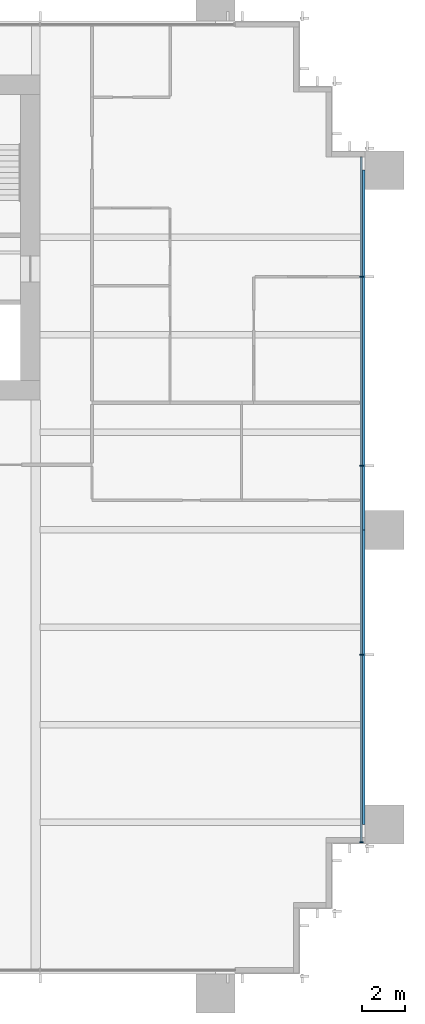
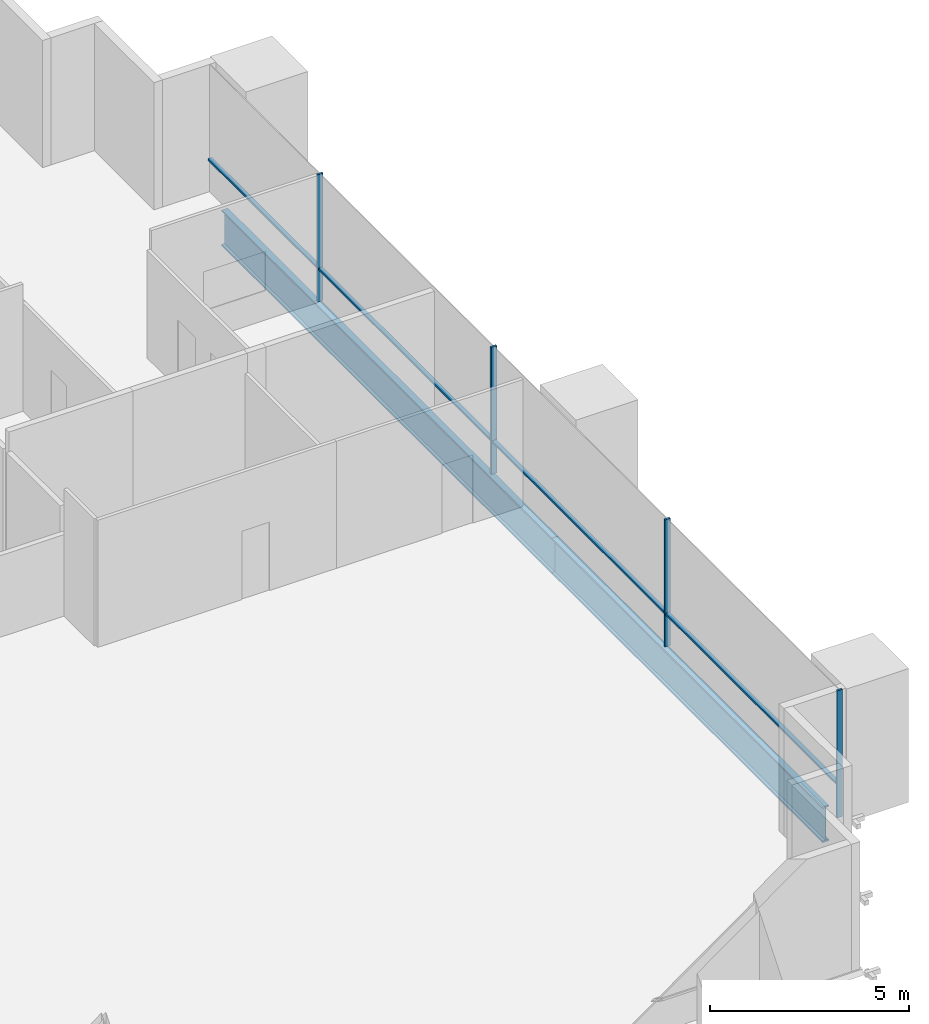
# One storey, part 9 of 17: 8 members, 2 beams, 1 element without a shape of its own.
"""IFC4 building model written with IfcOpenShell, lengths in metres."""

from ifc_helpers import new_model, si_unit, direction, frame, origin, origin_2d, place, context, subcontext, project, spatial, rectangle, i_section, extrude, material, material_profile, profile_set, type_object, element, aggregate, save


model = new_model("IFC4")

# Units and contexts
model_context = context("Model", 3, precision=1e-05, world=origin(), true_north=direction((0.0, 1.0)))
body_context = subcontext(model_context, "Body", "Model", "MODEL_VIEW")
ifc_project = project(units=[si_unit("LENGTHUNIT", "METRE"), si_unit("AREAUNIT", "SQUARE_METRE"), si_unit("VOLUMEUNIT", "CUBIC_METRE"), si_unit("PLANEANGLEUNIT", "RADIAN"), si_unit("MASSUNIT", "GRAM", prefix="KILO")], contexts=[model_context])

# Site, building, storey
site_placement = place(None, origin())
site = spatial("IfcSite", under=ifc_project, at=site_placement, CompositionType="ELEMENT")
building_placement = place(site_placement, origin())
building = spatial("IfcBuilding", under=site, at=building_placement, Name="Rattan Terrace Tower", CompositionType="ELEMENT")
storey_placement = place(building_placement, frame((0.0, 0.0, 48.800048828125)))
storey = spatial("IfcBuildingStorey", under=building, at=storey_placement, Name="L10", CompositionType="ELEMENT", Elevation=48.800048828125)

# Curtain wall, members
ifc_material_1 = material(Name="Aluminium and glass", Category="aluminium")
curtain_wall_type = type_object("IfcCurtainWallType", Name="Facade Unitised Curtain Wall", PredefinedType="NOTDEFINED", material=ifc_material_1)
curtain_wall_placement = place(storey_placement, origin())
curtain_wall = element("IfcCurtainWall", 1, at=curtain_wall_placement, inside=storey, type_object=curtain_wall_type, Name="Curtain wall L10-1", PredefinedType="NOTDEFINED")
ifc_material_2 = material(Name="Aluminium", Category="aluminium")
ifc_material_profile_1 = material_profile(ifc_material_2, rectangle(XDim=0.06005859375, YDim=0.159912109375, at=origin_2d()), Name="Aluminium 60x160")
ifc_profile_set_1 = profile_set([ifc_material_profile_1], Name="Aluminium")
member_type_1 = type_object("IfcMemberType", Name="Facade CW Mullion 60x160", PredefinedType="MULLION", material=ifc_profile_set_1)
member_1_placement = place(storey_placement, frame((32.830078125, -27.925048828125, 0.0), z_axis=(0.0, 0.0, 1.0), x_axis=(0.0, 1.0, 0.0)))
member_1 = element("IfcMember", 2, at=member_1_placement, type_object=member_type_1, Name="Mullion cwl-L10-001.1", PredefinedType="MULLION", context=body_context, shape_type="SweptSolid", body=[
    extrude(rectangle(XDim=0.06005859375, YDim=0.159912109375, at=origin_2d()), origin(), (0.0, 0.0, 1.0), 3.89990234375),
])
member_2_placement = place(storey_placement, frame((32.830078125, -19.27294921875, 0.0), z_axis=(0.0, 0.0, 1.0), x_axis=(0.0, 1.0, 0.0)))
member_2 = element("IfcMember", 3, at=member_2_placement, type_object=member_type_1, Name="Mullion cwl-L10-001.2", PredefinedType="MULLION", context=body_context, shape_type="SweptSolid", body=[
    extrude(rectangle(XDim=0.06005859375, YDim=0.159912109375, at=origin_2d()), origin(), (0.0, 0.0, 1.0), 3.89990234375),
])
member_3_placement = place(storey_placement, frame((32.830078125, -10.5458984375, 0.0), z_axis=(0.0, 0.0, 1.0), x_axis=(0.0, 1.0, 0.0)))
member_3 = element("IfcMember", 4, at=member_3_placement, type_object=member_type_1, Name="Mullion cwl-L10-001.3", PredefinedType="MULLION", context=body_context, shape_type="SweptSolid", body=[
    extrude(rectangle(XDim=0.06005859375, YDim=0.159912109375, at=origin_2d()), origin(), (0.0, 0.0, 1.0), 3.89990234375),
])
member_4_placement = place(storey_placement, frame((32.830078125, -1.819091796875, 0.0), z_axis=(0.0, 0.0, 1.0), x_axis=(0.0, 1.0, 0.0)))
member_4 = element("IfcMember", 5, at=member_4_placement, type_object=member_type_1, Name="Mullion cwl-L10-001.4", PredefinedType="MULLION", context=body_context, shape_type="SweptSolid", body=[
    extrude(rectangle(XDim=0.06005859375, YDim=0.159912109375, at=origin_2d()), origin(), (0.0, 0.0, 1.0), 3.89990234375),
])
ifc_material_3 = material(Name="Aluminium", Category="aluminium")
ifc_material_profile_2 = material_profile(ifc_material_3, rectangle(XDim=0.1201171875, YDim=0.06005859375, at=origin_2d()), Name="Aluminium 120x60")
ifc_profile_set_2 = profile_set([ifc_material_profile_2], Name="Aluminium")
member_type_2 = type_object("IfcMemberType", Name="Facade CW Transom 120x60", PredefinedType="USERDEFINED", material=ifc_profile_set_2)
member_5_placement = place(storey_placement, frame((32.830078125, -27.89501953125, 1.0), z_axis=(0.0, 1.0, 0.0), x_axis=(-1.0, 0.0, 0.0)))
member_5 = element("IfcMember", 6, at=member_5_placement, type_object=member_type_2, Name="Transom cwl-L10-001.1", ObjectType="TRANSOM", PredefinedType="USERDEFINED", context=body_context, shape_type="SweptSolid", body=[
    extrude(rectangle(XDim=0.1201171875, YDim=0.06005859375, at=origin_2d()), origin(), (0.0, 0.0, 1.0), 8.592041015625),
])
member_6_placement = place(storey_placement, frame((32.830078125, -19.242919921875, 1.0), z_axis=(0.0, 1.0, 0.0), x_axis=(-1.0, 0.0, 0.0)))
member_6 = element("IfcMember", 7, at=member_6_placement, type_object=member_type_2, Name="Transom cwl-L10-001.2", ObjectType="TRANSOM", PredefinedType="USERDEFINED", context=body_context, shape_type="SweptSolid", body=[
    extrude(rectangle(XDim=0.1201171875, YDim=0.06005859375, at=origin_2d()), origin(), (0.0, 0.0, 1.0), 8.6669921875),
])
member_7_placement = place(storey_placement, frame((32.830078125, -10.51611328125, 1.0), z_axis=(0.0, 1.0, 0.0), x_axis=(-1.0, 0.0, 0.0)))
member_7 = element("IfcMember", 8, at=member_7_placement, type_object=member_type_2, Name="Transom cwl-L10-001.3", ObjectType="TRANSOM", PredefinedType="USERDEFINED", context=body_context, shape_type="SweptSolid", body=[
    extrude(rectangle(XDim=0.1201171875, YDim=0.06005859375, at=origin_2d()), origin(), (0.0, 0.0, 1.0), 8.6669921875),
])
member_8_placement = place(storey_placement, frame((32.830078125, -1.7890625, 1.0), z_axis=(0.0, 1.0, 0.0), x_axis=(-1.0, 0.0, 0.0)))
member_8 = element("IfcMember", 9, at=member_8_placement, type_object=member_type_2, Name="Transom cwl-L10-001.4", ObjectType="TRANSOM", PredefinedType="USERDEFINED", context=body_context, shape_type="SweptSolid", body=[
    extrude(rectangle(XDim=0.1201171875, YDim=0.06005859375, at=origin_2d()), origin(), (0.0, 0.0, 1.0), 5.494140625),
])
aggregate(curtain_wall, [member_1, member_2, member_3, member_4, member_5, member_6, member_7, member_8])

# Beams
ifc_material_4 = material(Name="Steel S460", Category="steel")
ifc_material_profile_3 = material_profile(ifc_material_4, i_section(OverallWidth=0.179931640625, OverallDepth=1.10009765625, WebThickness=0.01611328125, FlangeThickness=0.050048828125, at=origin_2d()), Name="PG 1100x180-16-50")
ifc_profile_set_3 = profile_set([ifc_material_profile_3], Name="Steel S460")
beam_type = type_object("IfcBeamType", Name="Frame edge girder PG 1100x180-16-50", PredefinedType="SPANDREL", material=ifc_profile_set_3)
beam_1_placement = place(storey_placement, frame((32.909912109375, -27.10009765625, -0.75), z_axis=(0.0, 1.0, 0.0), x_axis=(-1.0, 0.0, 0.0)))
element("IfcBeam", 10, at=beam_1_placement, inside=storey, type_object=beam_type, Name="gdr-L10-005", PredefinedType="SPANDREL", context=body_context, shape_type="SweptSolid", body=[
    extrude(i_section(OverallWidth=0.179931640625, OverallDepth=1.10009765625, WebThickness=0.01611328125, FlangeThickness=0.050048828125, at=origin_2d()), origin(), (0.0, 0.0, 1.0), 13.60009765625),
])
beam_2_placement = place(storey_placement, frame((32.909912109375, -13.5, -0.75), z_axis=(0.0, 1.0, 0.0), x_axis=(-1.0, 0.0, 0.0)))
element("IfcBeam", 11, at=beam_2_placement, inside=storey, type_object=beam_type, Name="gdr-L10-007", PredefinedType="SPANDREL", context=body_context, shape_type="SweptSolid", body=[
    extrude(i_section(OverallWidth=0.179931640625, OverallDepth=1.10009765625, WebThickness=0.01611328125, FlangeThickness=0.050048828125, at=origin_2d()), origin(), (0.0, 0.0, 1.0), 16.60009765625),
])

save(model, "model.ifc")
